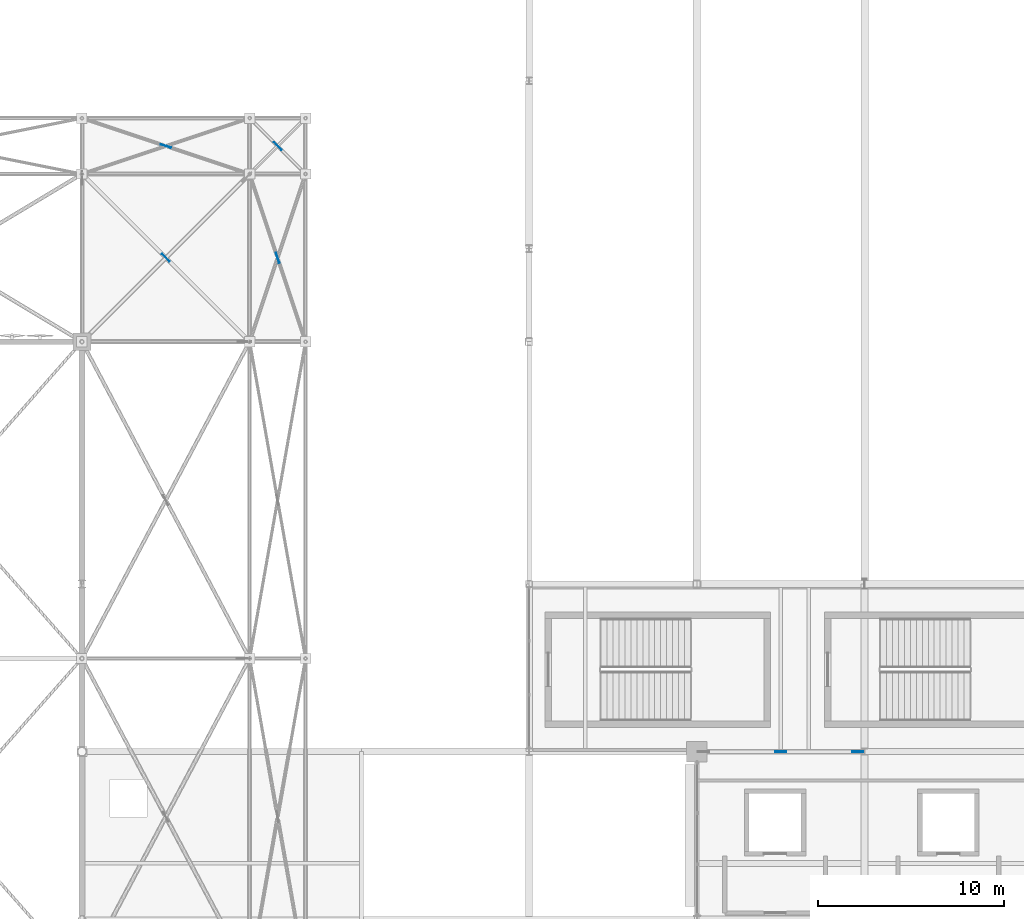
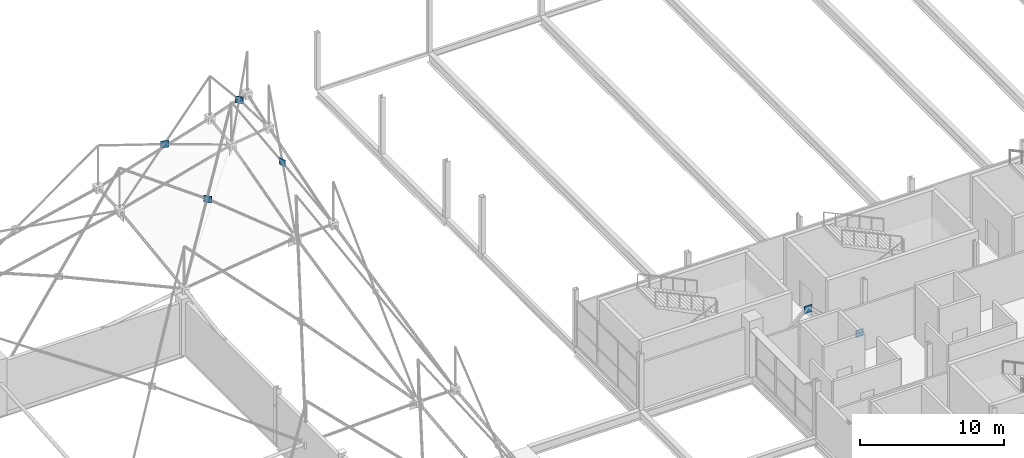
# One storey, part 192 of 224: 6 plates.
"""IFC4 building model written with IfcOpenShell, lengths in metres."""

import ifcopenshell
import ifcopenshell.guid

model = None  # the IFC model being written
_history = None  # IfcOwnerHistory: only IFC2X3 demands one
_inside = {}  # id of a spatial element -> (the spatial element, [elements in it])
_under = {}  # id of a project, library or spatial element -> (it, [spatial elements below it])
_declared = {}  # id of a project -> (the project, [libraries it declares])
_typed = {}  # id of a type object -> (the type object, [elements of that type])
_made_of = {}  # id of a material, layer set ... -> (it, [elements and type objects made of it])


def new_model(schema):
    """Start an empty IFC model of exactly this schema.

    Asked for "IFC4X3", IfcOpenShell would pick the latest addendum, in which some entities
    have other attributes; the version numbers below select the first issue.
    IFC2X3 requires an IfcOwnerHistory on every rooted entity: one is made here for all.
    """
    global model, _history
    if schema == "IFC4X3":
        model = ifcopenshell.file(schema_version=(4, 3, 0, 0))
    else:
        model = ifcopenshell.file(schema=schema)
    _inside.clear()
    _under.clear()
    _declared.clear()
    _typed.clear()
    _made_of.clear()
    _history = None
    if model.schema == "IFC2X3":
        org = make("IfcOrganization", Name="unknown")
        user = make(
            "IfcPersonAndOrganization",
            ThePerson=make("IfcPerson", FamilyName="unknown"),
            TheOrganization=org,
        )
        app = make(
            "IfcApplication",
            ApplicationDeveloper=org,
            Version="unknown",
            ApplicationFullName="unknown",
            ApplicationIdentifier="unknown",
        )
        _history = make(
            "IfcOwnerHistory",
            OwningUser=user,
            OwningApplication=app,
            ChangeAction="ADDED",
            CreationDate=0,
        )
    return model


def make(cls, **values):
    """One entity of the class cls with the attributes given. An attribute that is None is left unset."""
    return model.create_entity(
        cls, **{name: value for name, value in values.items() if value is not None}
    )


def rooted(cls, **values):
    """An entity with a GlobalId (a new one), such as an element, a storey or a relation."""
    return make(cls, GlobalId=ifcopenshell.guid.new(), OwnerHistory=_history, **values)


def si_unit(unit_type, name, prefix=None):
    """IfcSIUnit, for example si_unit("LENGTHUNIT", "METRE", prefix="MILLI")."""
    return make("IfcSIUnit", UnitType=unit_type, Prefix=prefix, Name=name)


def assignment(units):
    """IfcUnitAssignment: the units of a project."""
    return None if units is None else make("IfcUnitAssignment", Units=units)


def point(xyz):
    """IfcCartesianPoint."""
    return None if xyz is None else make("IfcCartesianPoint", Coordinates=xyz)


def direction(xyz):
    """IfcDirection."""
    return None if xyz is None else make("IfcDirection", DirectionRatios=xyz)


def frame(location, z_axis=None, x_axis=None):
    """IfcAxis2Placement3D, a coordinate frame: its origin and axes. An axis left out is left unset."""
    return make(
        "IfcAxis2Placement3D",
        Location=point(location),
        Axis=direction(z_axis),
        RefDirection=direction(x_axis),
    )


def frame_2d(location, x_axis=None):
    """IfcAxis2Placement2D, a coordinate frame in the plane: its origin and x axis."""
    return make(
        "IfcAxis2Placement2D", Location=point(location), RefDirection=direction(x_axis)
    )


def origin():
    """The frame at (0, 0, 0) with its axes left unset."""
    return frame((0.0, 0.0, 0.0))


def origin_2d():
    """The frame at (0, 0) in the plane with its x axis left unset."""
    return frame_2d((0.0, 0.0))


def place(relative_to, where):
    """IfcLocalPlacement: puts the frame where relative to a parent placement (None: the world)."""
    return make(
        "IfcLocalPlacement", PlacementRelTo=relative_to, RelativePlacement=where
    )


def context(
    kind, dimensions, precision=None, world=None, true_north=None, identifier=None
):
    """IfcGeometricRepresentationContext, for example the 3D "Model" context."""
    return make(
        "IfcGeometricRepresentationContext",
        ContextIdentifier=identifier,
        ContextType=kind,
        CoordinateSpaceDimension=dimensions,
        Precision=precision,
        WorldCoordinateSystem=world,
        TrueNorth=true_north,
    )


def subcontext(parent, identifier, kind, view, scale=None):
    """IfcGeometricRepresentationSubContext, for example "Body" below "Model"."""
    return make(
        "IfcGeometricRepresentationSubContext",
        ContextIdentifier=identifier,
        ContextType=kind,
        ParentContext=parent,
        TargetScale=scale,
        TargetView=view,
    )


def project(units=None, contexts=None):
    """IfcProject with its units and contexts."""
    return rooted(
        "IfcProject",
        Name="project",
        RepresentationContexts=contexts,
        UnitsInContext=assignment(units),
    )


def spatial(cls, under=None, at=None, **own):
    """A site, building, storey or space (cls), placed at a placement, below another one or the project."""
    s = rooted(cls, ObjectPlacement=at, **own)
    if under is not None:
        _under.setdefault(under.id(), (under, []))[1].append(s)
    return s


def profile(cls, at=None, kind="AREA", **sizes):
    """A parametric profile (cls). Its sizes go by their IFC names, for example OverallWidth=200.0."""
    return make(cls, ProfileType=kind, Position=at, **sizes)


def rectangle(**sizes):
    """IfcRectangleProfileDef."""
    return profile("IfcRectangleProfileDef", **sizes)


def extrude(swept, where, along, depth):
    """IfcExtrudedAreaSolid: the profile swept, set in the frame where, extruded along a direction by depth."""
    return make(
        "IfcExtrudedAreaSolid",
        SweptArea=swept,
        Position=where,
        ExtrudedDirection=direction(along),
        Depth=depth,
    )


def shape(context_of_items, identifier, shape_type, items):
    """IfcShapeRepresentation: the items that make up one representation, for example the "Body"."""
    return make(
        "IfcShapeRepresentation",
        ContextOfItems=context_of_items,
        RepresentationIdentifier=identifier,
        RepresentationType=shape_type,
        Items=items,
    )


def material(Name=None, Category=None):
    """IfcMaterial."""
    return make("IfcMaterial", Name=Name, Category=Category)


def layer(
    of_material, thickness, ventilated=None, Name=None, Category=None, Priority=None
):
    """IfcMaterialLayer: one layer of a wall or slab, of a material (None: an air gap)."""
    return make(
        "IfcMaterialLayer",
        Material=of_material,
        LayerThickness=thickness,
        IsVentilated=ventilated,
        Name=Name,
        Category=Category,
        Priority=Priority,
    )


def layer_set(layers, Name=None):
    """IfcMaterialLayerSet."""
    return make("IfcMaterialLayerSet", MaterialLayers=layers, LayerSetName=Name)


def made_of(thing, what):
    """Note that an element or type object is made of a material, layer set ...; save() writes the relation."""
    if what is not None:
        _made_of.setdefault(what.id(), (what, []))[1].append(thing)
    return thing


def type_object(cls, material=None, **own):
    """A type object (cls), such as IfcWallType, which elements share."""
    return made_of(rooted(cls, **own), material)


def element(
    cls,
    number,
    at=None,
    inside=None,
    cuts=None,
    type_object=None,
    material=None,
    context=None,
    identifier="Body",
    shape_type=None,
    held_by="IfcProductDefinitionShape",
    body=None,
    shapes=None,
    **own,
):
    """One element of the class cls, such as IfcWall. Its Tag is "e" and its number.

    at: its placement. inside: the storey or other place that contains it. cuts: it is an
    opening in that element (IfcRelVoidsElement). A single representation is given by context,
    identifier, shape_type and body (its items); several are given by shapes. held_by: the class
    of the entity that holds the representations. save() writes the other relations.
    """
    e = rooted(cls, Tag="e%d" % number, ObjectPlacement=at, **own)
    if body is not None:
        shapes = [shape(context, identifier, shape_type, body)]
    if shapes is not None:
        e.Representation = make(held_by, Representations=shapes)
    if inside is not None:
        _inside.setdefault(inside.id(), (inside, []))[1].append(e)
    if cuts is not None:
        rooted(
            "IfcRelVoidsElement", RelatingBuildingElement=cuts, RelatedOpeningElement=e
        )
    if type_object is not None:
        _typed.setdefault(type_object.id(), (type_object, []))[1].append(e)
    return made_of(e, material)


def aggregate(whole, parts):
    """IfcRelAggregates: a whole, such as a stair, and the parts it consists of."""
    return rooted("IfcRelAggregates", RelatingObject=whole, RelatedObjects=parts)


def save(model, path):
    """Write the relations noted so far, then the file.

    IfcRelAggregates (storeys below a building ...), IfcRelContainedInSpatialStructure (elements
    in a storey), IfcRelDefinesByType, IfcRelAssociatesMaterial and IfcRelDeclares: one each for
    every whole, place, type object, material and project.
    """
    for whole, parts in _under.values():
        aggregate(whole, parts)
    for where, things in _inside.values():
        rooted(
            "IfcRelContainedInSpatialStructure",
            RelatedElements=things,
            RelatingStructure=where,
        )
    for kind, things in _typed.values():
        rooted("IfcRelDefinesByType", RelatedObjects=things, RelatingType=kind)
    for what, things in _made_of.values():
        rooted("IfcRelAssociatesMaterial", RelatedObjects=things, RelatingMaterial=what)
    for by, libraries in _declared.values():
        rooted("IfcRelDeclares", RelatingContext=by, RelatedDefinitions=libraries)
    model.write(path)


model = new_model("IFC4")

# Units and contexts
model_context = context("Model", 3, precision=1e-05, world=origin(), true_north=direction((0.0, 1.0)))
body_context = subcontext(model_context, "Body", "Model", "MODEL_VIEW")
ifc_project = project(units=[si_unit("LENGTHUNIT", "METRE"), si_unit("AREAUNIT", "SQUARE_METRE"), si_unit("VOLUMEUNIT", "CUBIC_METRE"), si_unit("PLANEANGLEUNIT", "RADIAN"), si_unit("MASSUNIT", "GRAM", prefix="KILO")], contexts=[model_context])

# Site, building, storey
site_placement = place(None, origin())
site = spatial("IfcSite", under=ifc_project, at=site_placement, CompositionType="ELEMENT")
building_placement = place(site_placement, origin())
building = spatial("IfcBuilding", under=site, at=building_placement, Name="Qamarlyn Nura Convention Centre", CompositionType="ELEMENT")
storey_placement = place(building_placement, frame((0.0, 0.0, 10.800048828125)))
storey = spatial("IfcBuildingStorey", under=building, at=storey_placement, Name="L02", CompositionType="ELEMENT", Elevation=10.800048828125)

# Plates
ifc_material = material(Name="Structural steel ASTM A572 Grade 50", Category="steel")
ifc_layer_1 = layer(ifc_material, 0.035888671875, Name="GP-SN1")
ifc_layer_set_1 = layer_set([ifc_layer_1], Name="Structural steel ASTM A572 Grade 50")
plate_type_1 = type_object("IfcPlateType", Name="GP-SN1", PredefinedType="USERDEFINED", material=ifc_layer_set_1)
for number, where, z_axis, x_axis, name in (
    (1, (124.5, 107.5, 8.3291015625), (0.0, 0.0, 1.0), (-0.707106781187, 0.707106781187, 0.0), "Space frame X-brace crossing gusset plate 10-7"),
    (2, (124.5, 113.5, 9.36669921875), (0.0, 0.0, 1.0), (-0.948683567514, 0.316226957624, 0.0), "Space frame X-brace crossing gusset plate 10-8"),
    (3, (130.5, 107.5, 9.36669921875), (0.0, 0.0, 1.0), (-0.316226957624, 0.948683567514, 0.0), "Space frame X-brace crossing gusset plate 11-7"),
    (4, (130.5, 113.5, 11.029052734375), (0.0, 0.0, 1.0), (-0.707106781187, 0.707106781187, 0.0), "Space frame X-brace crossing gusset plate 11-8"),
):
    element("IfcPlate", number, at=place(storey_placement, frame(where, z_axis=z_axis, x_axis=x_axis)), inside=storey, type_object=plate_type_1, Name=name, ObjectType="GUSSET PLATE", PredefinedType="USERDEFINED", context=body_context, shape_type="SweptSolid", body=[
        extrude(rectangle(XDim=0.580078125, YDim=0.035888671875, at=origin_2d()), origin(), (0.0, 0.0, 1.0), 0.580078125),
    ])
ifc_layer_2 = layer(ifc_material, 0.044921875, Name="GP-TN1")
ifc_layer_set_2 = layer_set([ifc_layer_2], Name="Structural steel ASTM A572 Grade 50")
plate_type_2 = type_object("IfcPlateType", Name="GP-TN1", PredefinedType="USERDEFINED", material=ifc_layer_set_2)
for number, where, z_axis, x_axis, name in (
    (5, (161.639892578125, 81.0, 0.0), (0.0, 0.0, 1.0), (1.0, 0.0, 0.0), "SCBF chevron brace gusset plate CBF-N1-L02-B"),
    (6, (157.5, 81.0, 3.489013671875), (0.0, 0.0, 1.0), (1.0, 0.0, 0.0), "SCBF chevron brace gusset plate CBF-N1-L02-M"),
):
    element("IfcPlate", number, at=place(storey_placement, frame(where, z_axis=z_axis, x_axis=x_axis)), inside=storey, type_object=plate_type_2, Name=name, ObjectType="GUSSET PLATE", PredefinedType="USERDEFINED", context=body_context, shape_type="SweptSolid", body=[
        extrude(rectangle(XDim=0.60009765625, YDim=0.044921875, at=origin_2d()), origin(), (0.0, 0.0, 1.0), 0.60009765625),
    ])

save(model, "model.ifc")
